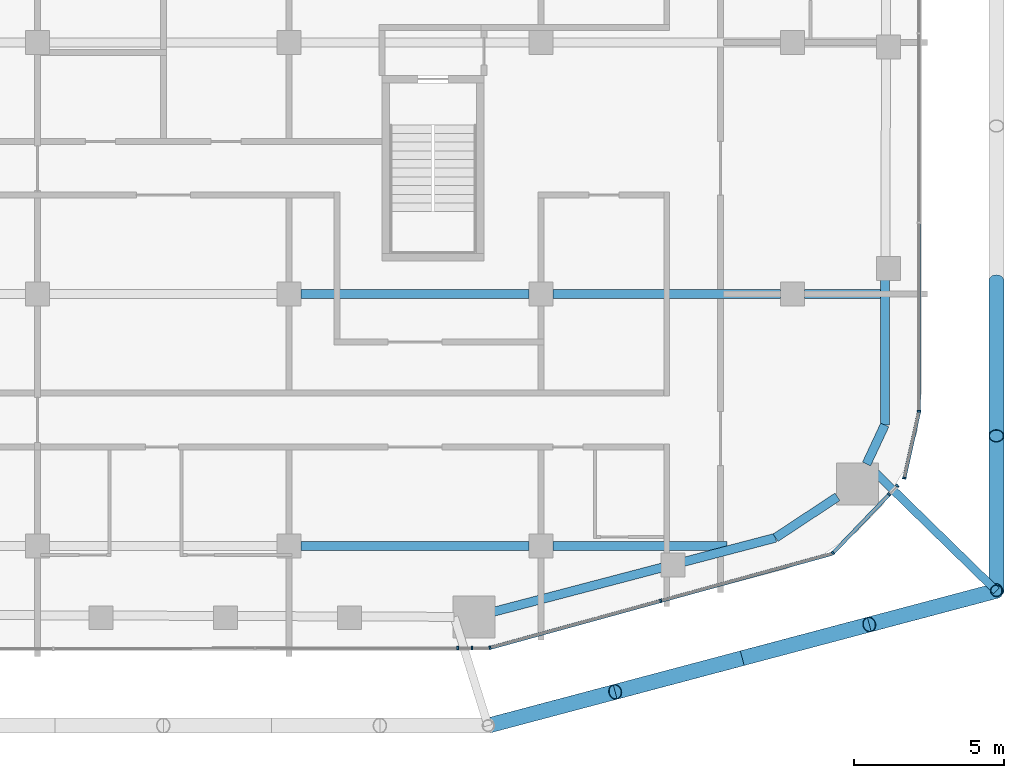
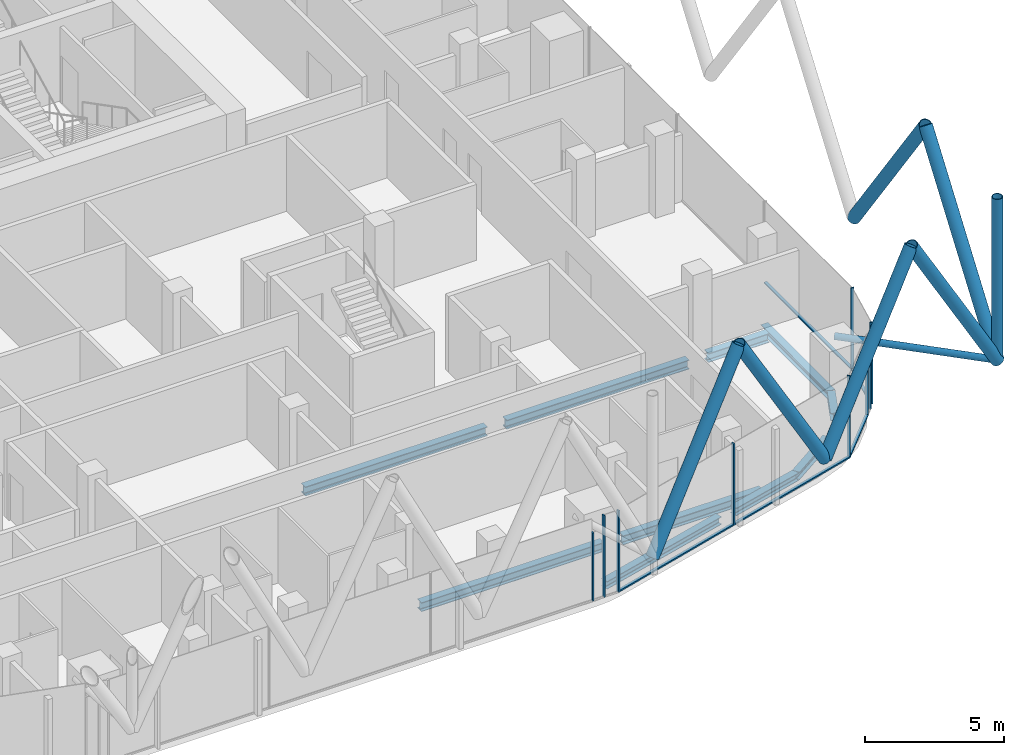
# One storey, part 6 of 28: 22 members, 10 beams, 7 elements without a shape of their own.
"""IFC4 building model written with IfcOpenShell, lengths in metres."""

import ifcopenshell
import ifcopenshell.guid

model = None  # the IFC model being written
_history = None  # IfcOwnerHistory: only IFC2X3 demands one
_inside = {}  # id of a spatial element -> (the spatial element, [elements in it])
_under = {}  # id of a project, library or spatial element -> (it, [spatial elements below it])
_declared = {}  # id of a project -> (the project, [libraries it declares])
_typed = {}  # id of a type object -> (the type object, [elements of that type])
_made_of = {}  # id of a material, layer set ... -> (it, [elements and type objects made of it])


def new_model(schema):
    """Start an empty IFC model of exactly this schema.

    Asked for "IFC4X3", IfcOpenShell would pick the latest addendum, in which some entities
    have other attributes; the version numbers below select the first issue.
    IFC2X3 requires an IfcOwnerHistory on every rooted entity: one is made here for all.
    """
    global model, _history
    if schema == "IFC4X3":
        model = ifcopenshell.file(schema_version=(4, 3, 0, 0))
    else:
        model = ifcopenshell.file(schema=schema)
    _inside.clear()
    _under.clear()
    _declared.clear()
    _typed.clear()
    _made_of.clear()
    _history = None
    if model.schema == "IFC2X3":
        org = make("IfcOrganization", Name="unknown")
        user = make(
            "IfcPersonAndOrganization",
            ThePerson=make("IfcPerson", FamilyName="unknown"),
            TheOrganization=org,
        )
        app = make(
            "IfcApplication",
            ApplicationDeveloper=org,
            Version="unknown",
            ApplicationFullName="unknown",
            ApplicationIdentifier="unknown",
        )
        _history = make(
            "IfcOwnerHistory",
            OwningUser=user,
            OwningApplication=app,
            ChangeAction="ADDED",
            CreationDate=0,
        )
    return model


def make(cls, **values):
    """One entity of the class cls with the attributes given. An attribute that is None is left unset."""
    return model.create_entity(
        cls, **{name: value for name, value in values.items() if value is not None}
    )


def rooted(cls, **values):
    """An entity with a GlobalId (a new one), such as an element, a storey or a relation."""
    return make(cls, GlobalId=ifcopenshell.guid.new(), OwnerHistory=_history, **values)


def si_unit(unit_type, name, prefix=None):
    """IfcSIUnit, for example si_unit("LENGTHUNIT", "METRE", prefix="MILLI")."""
    return make("IfcSIUnit", UnitType=unit_type, Prefix=prefix, Name=name)


def assignment(units):
    """IfcUnitAssignment: the units of a project."""
    return None if units is None else make("IfcUnitAssignment", Units=units)


def point(xyz):
    """IfcCartesianPoint."""
    return None if xyz is None else make("IfcCartesianPoint", Coordinates=xyz)


def direction(xyz):
    """IfcDirection."""
    return None if xyz is None else make("IfcDirection", DirectionRatios=xyz)


def frame(location, z_axis=None, x_axis=None):
    """IfcAxis2Placement3D, a coordinate frame: its origin and axes. An axis left out is left unset."""
    return make(
        "IfcAxis2Placement3D",
        Location=point(location),
        Axis=direction(z_axis),
        RefDirection=direction(x_axis),
    )


def frame_2d(location, x_axis=None):
    """IfcAxis2Placement2D, a coordinate frame in the plane: its origin and x axis."""
    return make(
        "IfcAxis2Placement2D", Location=point(location), RefDirection=direction(x_axis)
    )


def origin():
    """The frame at (0, 0, 0) with its axes left unset."""
    return frame((0.0, 0.0, 0.0))


def origin_2d():
    """The frame at (0, 0) in the plane with its x axis left unset."""
    return frame_2d((0.0, 0.0))


def place(relative_to, where):
    """IfcLocalPlacement: puts the frame where relative to a parent placement (None: the world)."""
    return make(
        "IfcLocalPlacement", PlacementRelTo=relative_to, RelativePlacement=where
    )


def context(
    kind, dimensions, precision=None, world=None, true_north=None, identifier=None
):
    """IfcGeometricRepresentationContext, for example the 3D "Model" context."""
    return make(
        "IfcGeometricRepresentationContext",
        ContextIdentifier=identifier,
        ContextType=kind,
        CoordinateSpaceDimension=dimensions,
        Precision=precision,
        WorldCoordinateSystem=world,
        TrueNorth=true_north,
    )


def subcontext(parent, identifier, kind, view, scale=None):
    """IfcGeometricRepresentationSubContext, for example "Body" below "Model"."""
    return make(
        "IfcGeometricRepresentationSubContext",
        ContextIdentifier=identifier,
        ContextType=kind,
        ParentContext=parent,
        TargetScale=scale,
        TargetView=view,
    )


def project(units=None, contexts=None):
    """IfcProject with its units and contexts."""
    return rooted(
        "IfcProject",
        Name="project",
        RepresentationContexts=contexts,
        UnitsInContext=assignment(units),
    )


def spatial(cls, under=None, at=None, **own):
    """A site, building, storey or space (cls), placed at a placement, below another one or the project."""
    s = rooted(cls, ObjectPlacement=at, **own)
    if under is not None:
        _under.setdefault(under.id(), (under, []))[1].append(s)
    return s


def profile(cls, at=None, kind="AREA", **sizes):
    """A parametric profile (cls). Its sizes go by their IFC names, for example OverallWidth=200.0."""
    return make(cls, ProfileType=kind, Position=at, **sizes)


def rectangle(**sizes):
    """IfcRectangleProfileDef."""
    return profile("IfcRectangleProfileDef", **sizes)


def hollow_circle(**sizes):
    """IfcCircleHollowProfileDef."""
    return profile("IfcCircleHollowProfileDef", **sizes)


def i_section(**sizes):
    """IfcIShapeProfileDef."""
    return profile("IfcIShapeProfileDef", **sizes)


def extrude(swept, where, along, depth):
    """IfcExtrudedAreaSolid: the profile swept, set in the frame where, extruded along a direction by depth."""
    return make(
        "IfcExtrudedAreaSolid",
        SweptArea=swept,
        Position=where,
        ExtrudedDirection=direction(along),
        Depth=depth,
    )


def shape(context_of_items, identifier, shape_type, items):
    """IfcShapeRepresentation: the items that make up one representation, for example the "Body"."""
    return make(
        "IfcShapeRepresentation",
        ContextOfItems=context_of_items,
        RepresentationIdentifier=identifier,
        RepresentationType=shape_type,
        Items=items,
    )


def material(Name=None, Category=None):
    """IfcMaterial."""
    return make("IfcMaterial", Name=Name, Category=Category)


def layer(
    of_material, thickness, ventilated=None, Name=None, Category=None, Priority=None
):
    """IfcMaterialLayer: one layer of a wall or slab, of a material (None: an air gap)."""
    return make(
        "IfcMaterialLayer",
        Material=of_material,
        LayerThickness=thickness,
        IsVentilated=ventilated,
        Name=Name,
        Category=Category,
        Priority=Priority,
    )


def layer_set(layers, Name=None):
    """IfcMaterialLayerSet."""
    return make("IfcMaterialLayerSet", MaterialLayers=layers, LayerSetName=Name)


def material_profile(
    of_material, cross_section, Name=None, Category=None, Priority=None
):
    """IfcMaterialProfile: a cross section and its material."""
    return make(
        "IfcMaterialProfile",
        Name=Name,
        Material=of_material,
        Profile=cross_section,
        Priority=Priority,
        Category=Category,
    )


def profile_set(profiles, Name=None, composite=None):
    """IfcMaterialProfileSet."""
    return make(
        "IfcMaterialProfileSet",
        Name=Name,
        MaterialProfiles=profiles,
        CompositeProfile=composite,
    )


def made_of(thing, what):
    """Note that an element or type object is made of a material, layer set ...; save() writes the relation."""
    if what is not None:
        _made_of.setdefault(what.id(), (what, []))[1].append(thing)
    return thing


def type_object(cls, material=None, **own):
    """A type object (cls), such as IfcWallType, which elements share."""
    return made_of(rooted(cls, **own), material)


def element(
    cls,
    number,
    at=None,
    inside=None,
    cuts=None,
    type_object=None,
    material=None,
    context=None,
    identifier="Body",
    shape_type=None,
    held_by="IfcProductDefinitionShape",
    body=None,
    shapes=None,
    **own,
):
    """One element of the class cls, such as IfcWall. Its Tag is "e" and its number.

    at: its placement. inside: the storey or other place that contains it. cuts: it is an
    opening in that element (IfcRelVoidsElement). A single representation is given by context,
    identifier, shape_type and body (its items); several are given by shapes. held_by: the class
    of the entity that holds the representations. save() writes the other relations.
    """
    e = rooted(cls, Tag="e%d" % number, ObjectPlacement=at, **own)
    if body is not None:
        shapes = [shape(context, identifier, shape_type, body)]
    if shapes is not None:
        e.Representation = make(held_by, Representations=shapes)
    if inside is not None:
        _inside.setdefault(inside.id(), (inside, []))[1].append(e)
    if cuts is not None:
        rooted(
            "IfcRelVoidsElement", RelatingBuildingElement=cuts, RelatedOpeningElement=e
        )
    if type_object is not None:
        _typed.setdefault(type_object.id(), (type_object, []))[1].append(e)
    return made_of(e, material)


def aggregate(whole, parts):
    """IfcRelAggregates: a whole, such as a stair, and the parts it consists of."""
    return rooted("IfcRelAggregates", RelatingObject=whole, RelatedObjects=parts)


def save(model, path):
    """Write the relations noted so far, then the file.

    IfcRelAggregates (storeys below a building ...), IfcRelContainedInSpatialStructure (elements
    in a storey), IfcRelDefinesByType, IfcRelAssociatesMaterial and IfcRelDeclares: one each for
    every whole, place, type object, material and project.
    """
    for whole, parts in _under.values():
        aggregate(whole, parts)
    for where, things in _inside.values():
        rooted(
            "IfcRelContainedInSpatialStructure",
            RelatedElements=things,
            RelatingStructure=where,
        )
    for kind, things in _typed.values():
        rooted("IfcRelDefinesByType", RelatedObjects=things, RelatingType=kind)
    for what, things in _made_of.values():
        rooted("IfcRelAssociatesMaterial", RelatedObjects=things, RelatingMaterial=what)
    for by, libraries in _declared.values():
        rooted("IfcRelDeclares", RelatingContext=by, RelatedDefinitions=libraries)
    model.write(path)


model = new_model("IFC4")

# Units and contexts
model_context = context("Model", 3, precision=1e-05, world=origin(), true_north=direction((0.0, 1.0)))
body_context = subcontext(model_context, "Body", "Model", "MODEL_VIEW")
ifc_project = project(units=[si_unit("LENGTHUNIT", "METRE"), si_unit("AREAUNIT", "SQUARE_METRE"), si_unit("VOLUMEUNIT", "CUBIC_METRE"), si_unit("PLANEANGLEUNIT", "RADIAN"), si_unit("MASSUNIT", "GRAM", prefix="KILO")], contexts=[model_context])

# Site, building, storey
site_placement = place(None, origin())
site = spatial("IfcSite", under=ifc_project, at=site_placement, CompositionType="ELEMENT")
building_placement = place(site_placement, origin())
building = spatial("IfcBuilding", under=site, at=building_placement, Name="Marenta Gate Hotel Tower", CompositionType="ELEMENT")
storey_placement = place(building_placement, frame((0.0, 0.0, 241.699951171875)))
storey = spatial("IfcBuildingStorey", under=building, at=storey_placement, Name="L57", CompositionType="ELEMENT", Elevation=241.699951171875)

# Members
ifc_material_1 = material(Name="Steel S355J2W", Category="steel")
ifc_material_profile_1 = material_profile(ifc_material_1, hollow_circle(Radius=0.203125, WallThickness=0.02490234375, at=origin_2d()), Name="CHS 406.4x25")
ifc_profile_set_1 = profile_set([ifc_material_profile_1], Name="Steel S355J2W")
member_type_1 = type_object("IfcMemberType", Name="Diagrid corner post Z3 CHS 406.4x25", PredefinedType="POST", material=ifc_profile_set_1)
member_1_placement = place(storey_placement, frame((27.800048828125, -26.7001953125, 3.14013671875), z_axis=(0.0, 0.0, 1.0), x_axis=(1.0, 0.0, 0.0)))
element("IfcMember", 1, at=member_1_placement, inside=storey, type_object=member_type_1, Name="L57-DR-2", PredefinedType="POST", context=body_context, shape_type="SweptSolid", body=[
    extrude(hollow_circle(Radius=0.203125, WallThickness=0.02490234375, at=origin_2d()), origin(), (0.0, 0.0, 1.0), 7.199951171875),
])
ifc_material_2 = material(Name="Steel S355J2W", Category="steel")
ifc_material_profile_2 = material_profile(ifc_material_2, hollow_circle(Radius=0.25390625, WallThickness=0.02490234375, at=origin_2d()), Name="CHS 508x25")
ifc_profile_set_2 = profile_set([ifc_material_profile_2], Name="Steel S355J2W")
member_type_2 = type_object("IfcMemberType", Name="Diagrid diagonal Z3 CHS 508x25", PredefinedType="BRACE", material=ifc_profile_set_2)
member_2_placement = place(storey_placement, frame((27.800048828125, -16.360107421875, 3.14013671875), z_axis=(0.0, -0.583260841117, 0.812284919975), x_axis=(1.0, 0.0, 0.0)))
element("IfcMember", 2, at=member_2_placement, inside=storey, type_object=member_type_2, Name="L57-DG-9", PredefinedType="BRACE", context=body_context, shape_type="SweptSolid", body=[
    extrude(hollow_circle(Radius=0.25390625, WallThickness=0.02490234375, at=origin_2d()), origin(), (0.0, 0.0, 1.0), 8.86376953125),
])
member_3_placement = place(storey_placement, frame((27.800048828125, -26.7001953125, 3.14013671875), z_axis=(0.0, 0.583279014058, 0.812271870595), x_axis=(-1.0, 0.0, 0.0)))
element("IfcMember", 3, at=member_3_placement, inside=storey, type_object=member_type_2, Name="L57-DG-10", PredefinedType="BRACE", context=body_context, shape_type="SweptSolid", body=[
    extrude(hollow_circle(Radius=0.25390625, WallThickness=0.02490234375, at=origin_2d()), origin(), (0.0, 0.0, 1.0), 8.864013671875),
])
for number, where, z_axis, x_axis, name in (
    (4, (27.800048828125, -26.7001953125, 3.14013671875), (-0.502924018666, -0.133433548941, 0.853968921838), (0.256443187528, -0.96655930577, 0.0), "L57-DG-11"),
    (5, (19.319580078125, -28.9501953125, 3.14013671875), (0.502924018666, 0.133433548941, 0.853968921838), (-0.256443187528, 0.96655930577, 0.0), "L57-DG-12"),
    (6, (19.319580078125, -28.9501953125, 3.14013671875), (-0.502925961678, -0.133405107407, 0.853972221087), (0.256391194513, -0.966573098827, 0.0), "L57-DG-13"),
    (7, (10.839111328125, -31.199951171875, 3.14013671875), (0.502924018666, 0.133433548941, 0.853968921838), (-0.256443187528, 0.96655930577, 0.0), "L57-DG-14"),
):
    element("IfcMember", number, at=place(storey_placement, frame(where, z_axis=z_axis, x_axis=x_axis)), inside=storey, type_object=member_type_2, Name=name, PredefinedType="BRACE", context=body_context, shape_type="SweptSolid", body=[
        extrude(hollow_circle(Radius=0.25390625, WallThickness=0.02490234375, at=origin_2d()), origin(), (0.0, 0.0, 1.0), 8.43115234375),
    ])

# Beams
ifc_material_3 = material(Name="Steel S355", Category="steel")
ifc_material_profile_3 = material_profile(ifc_material_3, i_section(OverallWidth=0.300048828125, OverallDepth=0.340087890625, WebThickness=0.011962890625, FlangeThickness=0.021484375, FilletRadius=0.027099609375, at=origin_2d()), Name="HEB 340")
ifc_profile_set_3 = profile_set([ifc_material_profile_3], Name="Steel S355")
beam_type_1 = type_object("IfcBeamType", Name="Edge beam HEB 340", PredefinedType="SPANDREL", material=ifc_profile_set_3)
beam_1_placement = place(storey_placement, frame((24.09130859375, -16.31201171875, -0.429931640625), z_axis=(-0.003318732666, -0.999994492992, 0.0), x_axis=(0.999994492992, -0.003318732666, 0.0)))
element("IfcBeam", 8, at=beam_1_placement, inside=storey, type_object=beam_type_1, Name="L57-EB-27", PredefinedType="SPANDREL", context=body_context, shape_type="SweptSolid", body=[
    extrude(i_section(OverallWidth=0.300048828125, OverallDepth=0.340087890625, WebThickness=0.011962890625, FlangeThickness=0.021484375, FilletRadius=0.027099609375, at=origin_2d()), origin(), (0.0, 0.0, 1.0), 4.855224609375),
])
beam_2_placement = place(storey_placement, frame((24.0751953125, -21.167236328125, -0.429931640625), z_axis=(-0.423341112024, -0.905970365338, 0.0), x_axis=(0.905970365338, -0.423341112024, 0.0)))
element("IfcBeam", 9, at=beam_2_placement, inside=storey, type_object=beam_type_1, Name="L57-EB-28", PredefinedType="SPANDREL", context=body_context, shape_type="SweptSolid", body=[
    extrude(i_section(OverallWidth=0.300048828125, OverallDepth=0.340087890625, WebThickness=0.011962890625, FlangeThickness=0.021484375, FilletRadius=0.027099609375, at=origin_2d()), origin(), (0.0, 0.0, 1.0), 1.437255859375),
])
beam_3_placement = place(storey_placement, frame((22.496337890625, -23.56640625, -0.429931640625), z_axis=(-0.834528740585, -0.550964410047, 0.0), x_axis=(0.550964410047, -0.834528740585, 0.0)))
element("IfcBeam", 10, at=beam_3_placement, inside=storey, type_object=beam_type_1, Name="L57-EB-29", PredefinedType="SPANDREL", context=body_context, shape_type="SweptSolid", body=[
    extrude(i_section(OverallWidth=0.300048828125, OverallDepth=0.340087890625, WebThickness=0.011962890625, FlangeThickness=0.021484375, FilletRadius=0.027099609375, at=origin_2d()), origin(), (0.0, 0.0, 1.0), 2.47705078125),
])
beam_4_placement = place(storey_placement, frame((20.42919921875, -24.93115234375, -0.429931640625), z_axis=(-0.967235227858, -0.253881889845, 0.0), x_axis=(0.253881889845, -0.967235227858, 0.0)))
element("IfcBeam", 11, at=beam_4_placement, inside=storey, type_object=beam_type_1, Name="L57-EB-30", PredefinedType="SPANDREL", context=body_context, shape_type="SweptSolid", body=[
    extrude(i_section(OverallWidth=0.300048828125, OverallDepth=0.340087890625, WebThickness=0.011962890625, FlangeThickness=0.021484375, FilletRadius=0.027099609375, at=origin_2d()), origin(), (0.0, 0.0, 1.0), 3.164794921875),
])
beam_5_placement = place(storey_placement, frame((16.6455078125, -25.92431640625, -0.429931640625), z_axis=(-0.96723496524, -0.253882890359, 0.0), x_axis=(0.253882890359, -0.96723496524, 0.0)))
element("IfcBeam", 12, at=beam_5_placement, inside=storey, type_object=beam_type_1, Name="L57-EB-31", PredefinedType="SPANDREL", context=body_context, shape_type="SweptSolid", body=[
    extrude(i_section(OverallWidth=0.300048828125, OverallDepth=0.340087890625, WebThickness=0.011962890625, FlangeThickness=0.021484375, FilletRadius=0.027099609375, at=origin_2d()), origin(), (0.0, 0.0, 1.0), 5.80810546875),
])

# Member
ifc_material_4 = material(Name="Steel S355J2W", Category="steel")
ifc_material_profile_4 = material_profile(ifc_material_4, hollow_circle(Radius=0.136474609375, WallThickness=0.012451171875, at=origin_2d()), Name="CHS 273x12.5")
ifc_profile_set_4 = profile_set([ifc_material_profile_4], Name="Steel S355J2W")
member_type_3 = type_object("IfcMemberType", Name="Floor tie CHS 273x12.5", PredefinedType="STRUT", material=ifc_profile_set_4)
member_4_placement = place(storey_placement, frame((27.800048828125, -26.7001953125, 3.14013671875), z_axis=(-0.715510328178, 0.698602154499, 0.0), x_axis=(-0.698602154499, -0.715510328178, 0.0)))
element("IfcMember", 13, at=member_4_placement, inside=storey, type_object=member_type_3, Name="L57-DR-8", PredefinedType="STRUT", context=body_context, shape_type="SweptSolid", body=[
    extrude(hollow_circle(Radius=0.136474609375, WallThickness=0.012451171875, at=origin_2d()), origin(), (0.0, 0.0, 1.0), 6.050048828125),
])

# Beams
ifc_material_5 = material(Name="Steel S355", Category="steel")
ifc_material_profile_5 = material_profile(ifc_material_5, i_section(OverallWidth=0.300048828125, OverallDepth=0.39990234375, WebThickness=0.013427734375, FlangeThickness=0.02392578125, FilletRadius=0.027099609375, at=origin_2d()), Name="HEB 400")
ifc_profile_set_5 = profile_set([ifc_material_profile_5], Name="Steel S355")
beam_type_2 = type_object("IfcBeamType", Name="Girder HEB 400", PredefinedType="BEAM", material=ifc_profile_set_5)
beam_6_placement = place(storey_placement, frame((4.60009765625, -25.199951171875, -0.4599609375), z_axis=(1.0, 0.0, 0.0), x_axis=(0.0, 1.0, 0.0)))
element("IfcBeam", 14, at=beam_6_placement, inside=storey, type_object=beam_type_2, Name="L57-GD-4", PredefinedType="BEAM", context=body_context, shape_type="SweptSolid", body=[
    extrude(i_section(OverallWidth=0.300048828125, OverallDepth=0.39990234375, WebThickness=0.013427734375, FlangeThickness=0.02392578125, FilletRadius=0.027099609375, at=origin_2d()), origin(), (0.0, 0.0, 1.0), 7.599853515625),
])
beam_7_placement = place(storey_placement, frame((13.0, -25.199951171875, -0.4599609375), z_axis=(1.0, 0.0, 0.0), x_axis=(0.0, 1.0, 0.0)))
element("IfcBeam", 15, at=beam_7_placement, inside=storey, type_object=beam_type_2, Name="L57-GD-5", PredefinedType="BEAM", context=body_context, shape_type="SweptSolid", body=[
    extrude(i_section(OverallWidth=0.300048828125, OverallDepth=0.39990234375, WebThickness=0.013427734375, FlangeThickness=0.02392578125, FilletRadius=0.027099609375, at=origin_2d()), origin(), (0.0, 0.0, 1.0), 5.81396484375),
])
beam_8_placement = place(storey_placement, frame((4.60009765625, -16.800048828125, -0.4599609375), z_axis=(1.0, 0.0, 0.0), x_axis=(0.0, 1.0, 0.0)))
element("IfcBeam", 16, at=beam_8_placement, inside=storey, type_object=beam_type_2, Name="L57-GD-10", PredefinedType="BEAM", context=body_context, shape_type="SweptSolid", body=[
    extrude(i_section(OverallWidth=0.300048828125, OverallDepth=0.39990234375, WebThickness=0.013427734375, FlangeThickness=0.02392578125, FilletRadius=0.027099609375, at=origin_2d()), origin(), (0.0, 0.0, 1.0), 7.599853515625),
])
beam_9_placement = place(storey_placement, frame((13.0, -16.800048828125, -0.4599609375), z_axis=(1.0, 0.0, 0.0), x_axis=(0.0, 1.0, 0.0)))
element("IfcBeam", 17, at=beam_9_placement, inside=storey, type_object=beam_type_2, Name="L57-GD-11", PredefinedType="BEAM", context=body_context, shape_type="SweptSolid", body=[
    extrude(i_section(OverallWidth=0.300048828125, OverallDepth=0.39990234375, WebThickness=0.013427734375, FlangeThickness=0.02392578125, FilletRadius=0.027099609375, at=origin_2d()), origin(), (0.0, 0.0, 1.0), 7.60009765625),
])
beam_10_placement = place(storey_placement, frame((21.39990234375, -16.800048828125, -0.4599609375), z_axis=(1.0, 0.0, 0.0), x_axis=(0.0, 1.0, 0.0)))
element("IfcBeam", 18, at=beam_10_placement, inside=storey, type_object=beam_type_2, Name="L57-GD-12", PredefinedType="BEAM", context=body_context, shape_type="SweptSolid", body=[
    extrude(i_section(OverallWidth=0.300048828125, OverallDepth=0.39990234375, WebThickness=0.013427734375, FlangeThickness=0.02392578125, FilletRadius=0.027099609375, at=origin_2d()), origin(), (0.0, 0.0, 1.0), 2.539794921875),
])

# Curtain wall, member
ifc_material_6 = material(Name="Tinted insulated glass in bronze anodised frame", Category="glass")
ifc_layer = layer(ifc_material_6, 0.1201171875)
ifc_layer_set = layer_set([ifc_layer], Name="Tinted insulated glass in bronze anodised frame")
curtain_wall_type = type_object("IfcCurtainWallType", Name="Tower unitised curtain wall CW1", PredefinedType="NOTDEFINED", material=ifc_layer_set)
curtain_wall_1_placement = place(storey_placement, origin())
curtain_wall_1 = element("IfcCurtainWall", 19, at=curtain_wall_1_placement, inside=storey, type_object=curtain_wall_type, Name="CW1 run G13", PredefinedType="NOTDEFINED")
ifc_material_7 = material(Name="Bronze anodised aluminium", Category="aluminium")
ifc_material_profile_6 = material_profile(ifc_material_7, rectangle(XDim=0.1201171875, YDim=0.06005859375, at=origin_2d()), Name="Mullion CW1 60x120 bronze anodised aluminium")
ifc_profile_set_6 = profile_set([ifc_material_profile_6], Name="Bronze anodised aluminium")
member_type_4 = type_object("IfcMemberType", Name="Mullion CW1 60x120 bronze anodised aluminium", PredefinedType="MULLION", material=ifc_profile_set_6)
member_5_placement = place(storey_placement, frame((9.824951171875, -28.6142578125, 0.0), z_axis=(0.0, 0.0, 1.0), x_axis=(-0.001686693784, 0.999998577531, 0.0)))
member_5 = element("IfcMember", 20, at=member_5_placement, type_object=member_type_4, Name="CW1 mullion 1", PredefinedType="MULLION", context=body_context, shape_type="SweptSolid", body=[
    extrude(rectangle(XDim=0.1201171875, YDim=0.06005859375, at=origin_2d()), origin(), (0.0, 0.0, 1.0), 3.00048828125),
])
aggregate(curtain_wall_1, [member_5])

curtain_wall_2_placement = place(storey_placement, origin())
curtain_wall_2 = element("IfcCurtainWall", 21, at=curtain_wall_2_placement, inside=storey, type_object=curtain_wall_type, Name="CW1 run G14", PredefinedType="NOTDEFINED")
member_6_placement = place(storey_placement, frame((10.29931640625, -28.613525390625, 0.0), z_axis=(0.0, 0.0, 1.0), x_axis=(-0.001654257461, 0.999998631715, 0.0)))
member_6 = element("IfcMember", 22, at=member_6_placement, type_object=member_type_4, Name="CW1 mullion 1", PredefinedType="MULLION", context=body_context, shape_type="SweptSolid", body=[
    extrude(rectangle(XDim=0.1201171875, YDim=0.06005859375, at=origin_2d()), origin(), (0.0, 0.0, 1.0), 3.60009765625),
])
aggregate(curtain_wall_2, [member_6])

# Curtain wall, members
curtain_wall_3_placement = place(storey_placement, origin())
curtain_wall_3 = element("IfcCurtainWall", 23, at=curtain_wall_3_placement, inside=storey, type_object=curtain_wall_type, Name="CW1 run G15", PredefinedType="NOTDEFINED")
member_7_placement = place(storey_placement, frame((10.902587890625, -28.6044921875, 0.0), z_axis=(0.0, 0.0, 1.0), x_axis=(-0.265293272675, 0.964167765212, 0.0)))
member_7 = element("IfcMember", 24, at=member_7_placement, type_object=member_type_4, Name="CW1 mullion 1", PredefinedType="MULLION", context=body_context, shape_type="SweptSolid", body=[
    extrude(rectangle(XDim=0.1201171875, YDim=0.06005859375, at=origin_2d()), origin(), (0.0, 0.0, 1.0), 3.60009765625),
])
member_8_placement = place(storey_placement, frame((16.599365234375, -27.037109375, 0.0), z_axis=(0.0, 0.0, 1.0), x_axis=(-0.265293272675, 0.964167765212, 0.0)))
member_8 = element("IfcMember", 25, at=member_8_placement, type_object=member_type_4, Name="CW1 mullion 2", PredefinedType="MULLION", context=body_context, shape_type="SweptSolid", body=[
    extrude(rectangle(XDim=0.1201171875, YDim=0.06005859375, at=origin_2d()), origin(), (0.0, 0.0, 1.0), 3.60009765625),
])

# Curtain wall, member
curtain_wall_4_placement = place(storey_placement, origin())
curtain_wall_4 = element("IfcCurtainWall", 26, at=curtain_wall_4_placement, inside=storey, type_object=curtain_wall_type, Name="CW1 run G16", PredefinedType="NOTDEFINED")
member_9_placement = place(storey_placement, frame((22.345458984375, -25.43994140625, 0.0), z_axis=(0.0, 0.0, 1.0), x_axis=(-0.721374796599, 0.692544874237, 0.0)))
member_9 = element("IfcMember", 27, at=member_9_placement, type_object=member_type_4, Name="CW1 mullion 1", PredefinedType="MULLION", context=body_context, shape_type="SweptSolid", body=[
    extrude(rectangle(XDim=0.1201171875, YDim=0.06005859375, at=origin_2d()), origin(), (0.0, 0.0, 1.0), 3.60009765625),
])

# Curtain wall, members
curtain_wall_5_placement = place(storey_placement, origin())
curtain_wall_5 = element("IfcCurtainWall", 28, at=curtain_wall_5_placement, inside=storey, type_object=curtain_wall_type, Name="CW1 run G17", PredefinedType="NOTDEFINED")
member_10_placement = place(storey_placement, frame((24.22412109375, -23.4833984375, 0.0), z_axis=(0.0, 0.0, 1.0), x_axis=(-0.721418199888, 0.692499661278, 0.0)))
member_10 = element("IfcMember", 29, at=member_10_placement, type_object=member_type_4, Name="CW1 mullion 1", PredefinedType="MULLION", context=body_context, shape_type="SweptSolid", body=[
    extrude(rectangle(XDim=0.1201171875, YDim=0.06005859375, at=origin_2d()), origin(), (0.0, 0.0, 1.0), 3.00048828125),
])
member_11_placement = place(storey_placement, frame((24.496337890625, -23.199951171875, 0.0), z_axis=(0.0, 0.0, 1.0), x_axis=(-0.721418199888, 0.692499661278, 0.0)))
member_11 = element("IfcMember", 30, at=member_11_placement, type_object=member_type_4, Name="CW1 mullion 2", PredefinedType="MULLION", context=body_context, shape_type="SweptSolid", body=[
    extrude(rectangle(XDim=0.1201171875, YDim=0.06005859375, at=origin_2d()), origin(), (0.0, 0.0, 1.0), 3.00048828125),
])
aggregate(curtain_wall_5, [member_10, member_11])

# Curtain wall, member
curtain_wall_6_placement = place(storey_placement, origin())
curtain_wall_6 = element("IfcCurtainWall", 31, at=curtain_wall_6_placement, inside=storey, type_object=curtain_wall_type, Name="CW1 run G18", PredefinedType="NOTDEFINED")
member_12_placement = place(storey_placement, frame((24.726806640625, -22.937255859375, 0.0), z_axis=(0.0, 0.0, 1.0), x_axis=(-0.97620669183, 0.216842096529, 0.0)))
member_12 = element("IfcMember", 32, at=member_12_placement, type_object=member_type_4, Name="CW1 mullion 1", PredefinedType="MULLION", context=body_context, shape_type="SweptSolid", body=[
    extrude(rectangle(XDim=0.1201171875, YDim=0.06005859375, at=origin_2d()), origin(), (0.0, 0.0, 1.0), 3.60009765625),
])

curtain_wall_7_placement = place(storey_placement, origin())
curtain_wall_7 = element("IfcCurtainWall", 33, at=curtain_wall_7_placement, inside=storey, type_object=curtain_wall_type, Name="CW1 run G19", PredefinedType="NOTDEFINED")
member_13_placement = place(storey_placement, frame((25.214111328125, -20.7138671875, 0.0), z_axis=(0.0, 0.0, 1.0), x_axis=(-1.0, 0.0, 0.0)))
member_13 = element("IfcMember", 34, at=member_13_placement, type_object=member_type_4, Name="CW1 mullion 1", PredefinedType="MULLION", context=body_context, shape_type="SweptSolid", body=[
    extrude(rectangle(XDim=0.1201171875, YDim=0.06005859375, at=origin_2d()), origin(), (0.0, 0.0, 1.0), 3.60009765625),
])

# Member
ifc_material_8 = material(Name="Bronze anodised aluminium", Category="aluminium")
ifc_material_profile_7 = material_profile(ifc_material_8, rectangle(XDim=0.1201171875, YDim=0.06005859375, at=origin_2d()), Name="Transom CW1 60x120 bronze anodised aluminium")
ifc_profile_set_7 = profile_set([ifc_material_profile_7], Name="Bronze anodised aluminium")
member_type_5 = type_object("IfcMemberType", Name="Transom CW1 60x120 bronze anodised aluminium", PredefinedType="USERDEFINED", material=ifc_profile_set_7)
member_14_placement = place(storey_placement, frame((10.931640625, -28.5966796875, 0.030029296875), z_axis=(0.964166959812, 0.265296199758, 0.0), x_axis=(-0.265296199758, 0.964166959812, 0.0)))
member_14 = element("IfcMember", 35, at=member_14_placement, type_object=member_type_5, Name="CW1 transom 1.1", ObjectType="TRANSOM", PredefinedType="USERDEFINED", context=body_context, shape_type="SweptSolid", body=[
    extrude(rectangle(XDim=0.1201171875, YDim=0.06005859375, at=origin_2d()), origin(), (0.0, 0.0, 1.0), 5.84814453125),
])

member_15_placement = place(storey_placement, frame((16.628173828125, -27.029052734375, 0.030029296875), z_axis=(0.964169199953, 0.265288058274, 0.0), x_axis=(-0.265288058274, 0.964169199953, 0.0)))
member_15 = element("IfcMember", 36, at=member_15_placement, type_object=member_type_5, Name="CW1 transom 2.1", ObjectType="TRANSOM", PredefinedType="USERDEFINED", context=body_context, shape_type="SweptSolid", body=[
    extrude(rectangle(XDim=0.1201171875, YDim=0.06005859375, at=origin_2d()), origin(), (0.0, 0.0, 1.0), 5.908203125),
])

aggregate(curtain_wall_3, [member_7, member_8, member_14, member_15])

member_16_placement = place(storey_placement, frame((22.366455078125, -25.41845703125, 0.030029296875), z_axis=(0.692508837001, 0.721409391868, 0.0), x_axis=(-0.721409391868, 0.692508837001, 0.0)))
member_16 = element("IfcMember", 37, at=member_16_placement, type_object=member_type_5, Name="CW1 transom 1.1", ObjectType="TRANSOM", PredefinedType="USERDEFINED", context=body_context, shape_type="SweptSolid", body=[
    extrude(rectangle(XDim=0.1201171875, YDim=0.06005859375, at=origin_2d()), origin(), (0.0, 0.0, 1.0), 2.652587890625),
])

aggregate(curtain_wall_4, [member_9, member_16])

member_17_placement = place(storey_placement, frame((24.7333984375, -22.907958984375, 0.030029296875), z_axis=(0.216848830219, 0.976205196069, 0.0), x_axis=(-0.976205196069, 0.216848830219, 0.0)))
member_17 = element("IfcMember", 38, at=member_17_placement, type_object=member_type_5, Name="CW1 transom 1.1", ObjectType="TRANSOM", PredefinedType="USERDEFINED", context=body_context, shape_type="SweptSolid", body=[
    extrude(rectangle(XDim=0.1201171875, YDim=0.06005859375, at=origin_2d()), origin(), (0.0, 0.0, 1.0), 2.216796875),
])

aggregate(curtain_wall_6, [member_12, member_17])

member_18_placement = place(storey_placement, frame((25.214111328125, -20.683837890625, 0.030029296875), z_axis=(0.0, 1.0, 0.0), x_axis=(-1.0, 0.0, 0.0)))
member_18 = element("IfcMember", 39, at=member_18_placement, type_object=member_type_5, Name="CW1 transom 1.1", ObjectType="TRANSOM", PredefinedType="USERDEFINED", context=body_context, shape_type="SweptSolid", body=[
    extrude(rectangle(XDim=0.1201171875, YDim=0.06005859375, at=origin_2d()), origin(), (0.0, 0.0, 1.0), 6.232666015625),
])

aggregate(curtain_wall_7, [member_13, member_18])

save(model, "model.ifc")
